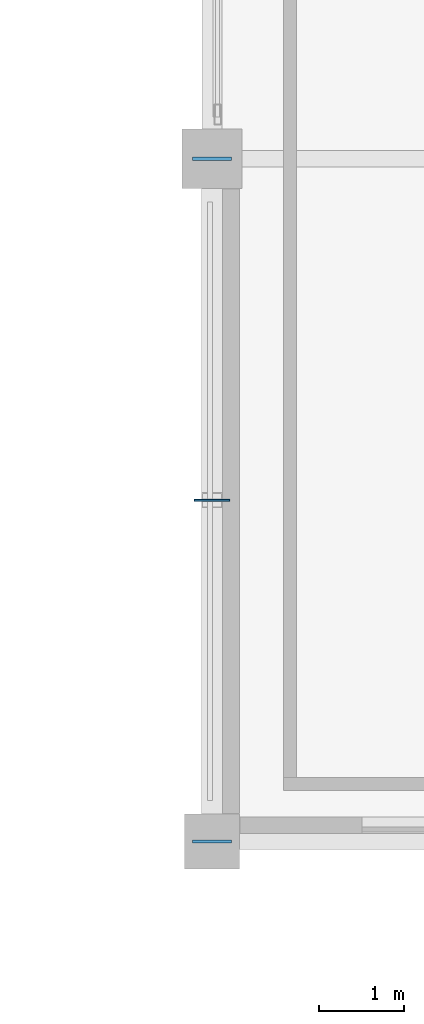
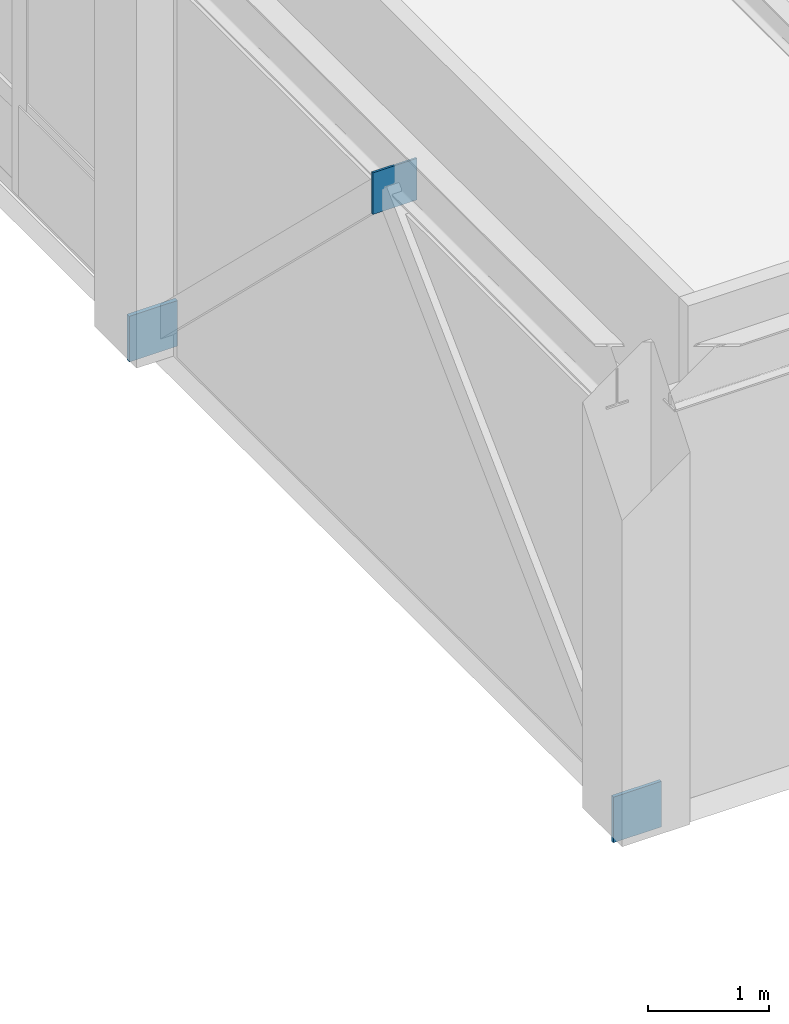
# One storey, part 168 of 200: 3 plates.
"""IFC4 building model written with IfcOpenShell, lengths in metres."""

from ifc_helpers import new_model, si_unit, direction, frame, origin, origin_2d, place, context, subcontext, project, spatial, rectangle, extrude, material, layer, layer_set, type_object, element, save


model = new_model("IFC4")

# Units and contexts
model_context = context("Model", 3, precision=1e-05, world=origin(), true_north=direction((0.0, 1.0)))
body_context = subcontext(model_context, "Body", "Model", "MODEL_VIEW")
ifc_project = project(units=[si_unit("LENGTHUNIT", "METRE"), si_unit("AREAUNIT", "SQUARE_METRE"), si_unit("VOLUMEUNIT", "CUBIC_METRE"), si_unit("PLANEANGLEUNIT", "RADIAN"), si_unit("MASSUNIT", "GRAM", prefix="KILO"), si_unit("THERMODYNAMICTEMPERATUREUNIT", "KELVIN"), si_unit("POWERUNIT", "WATT")], contexts=[model_context])

# Site, building, storey
site_placement = place(None, origin())
site = spatial("IfcSite", under=ifc_project, at=site_placement, CompositionType="ELEMENT")
building_placement = place(site_placement, origin())
building = spatial("IfcBuilding", under=site, at=building_placement, Name="Tepalcoro Natatorium and Aquatics Centre", CompositionType="ELEMENT")
storey_placement = place(building_placement, frame((0.0, 0.0, 5.39990234375)))
storey = spatial("IfcBuildingStorey", under=building, at=storey_placement, Name="L01", CompositionType="ELEMENT", Elevation=5.39990234375)

# Plates
ifc_material = material(Name="Plate Steel ASTM A572 Grade 50 (Fy 345 MPa)", Category="steel")
ifc_layer_1 = layer(ifc_material, 0.031982421875)
ifc_layer_set_1 = layer_set([ifc_layer_1], Name="Plate Steel ASTM A572 Grade 50 (Fy 345 MPa)")
plate_type_1 = type_object("IfcPlateType", Name="PL_CAP_32", PredefinedType="USERDEFINED", material=ifc_layer_set_1)
plate_1_placement = place(storey_placement, frame((10.0, 86.0, -0.179931640625), z_axis=(0.0, 0.0, 1.0), x_axis=(1.0, 0.0, 0.0)))
element("IfcPlate", 1, at=plate_1_placement, inside=storey, type_object=plate_type_1, Name="Truss Node Cap Plate BRB_8", ObjectType="CAP PLATE", PredefinedType="USERDEFINED", context=body_context, shape_type="SweptSolid", body=[
    extrude(rectangle(XDim=0.4599609375, YDim=0.031982421875, at=origin_2d()), origin(), (0.0, 0.0, 1.0), 0.4599609375),
])
ifc_layer_2 = layer(ifc_material, 0.02001953125)
ifc_layer_set_2 = layer_set([ifc_layer_2], Name="Plate Steel ASTM A572 Grade 50 (Fy 345 MPa)")
plate_type_2 = type_object("IfcPlateType", Name="PL_GUSSET_20", PredefinedType="USERDEFINED", material=ifc_layer_set_2)
plate_2_placement = place(storey_placement, frame((10.0, 90.0, 3.72021484375), z_axis=(0.0, 0.0, 1.0), x_axis=(1.0, 0.0, 0.0)))
element("IfcPlate", 2, at=plate_2_placement, inside=storey, type_object=plate_type_2, Name="V4 L01 Chevron Gusset Plate GP1", ObjectType="GUSSET PLATE", PredefinedType="USERDEFINED", context=body_context, shape_type="SweptSolid", body=[
    extrude(rectangle(XDim=0.419921875, YDim=0.02001953125, at=origin_2d()), origin(), (0.0, 0.0, 1.0), 0.419921875),
])
ifc_layer_3 = layer(ifc_material, 0.0400390625)
ifc_layer_set_3 = layer_set([ifc_layer_3], Name="Plate Steel ASTM A572 Grade 50 (Fy 345 MPa)")
plate_type_3 = type_object("IfcPlateType", Name="PL_GUSSET_40", PredefinedType="USERDEFINED", material=ifc_layer_set_3)
plate_3_placement = place(storey_placement, frame((10.0, 94.0, -0.179931640625), z_axis=(0.0, 0.0, 1.0), x_axis=(1.0, 0.0, 0.0)))
element("IfcPlate", 3, at=plate_3_placement, inside=storey, type_object=plate_type_3, Name="Truss Node Gusset Plate BRB_8", ObjectType="GUSSET PLATE", PredefinedType="USERDEFINED", context=body_context, shape_type="SweptSolid", body=[
    extrude(rectangle(XDim=0.4599609375, YDim=0.0400390625, at=origin_2d()), origin(), (0.0, 0.0, 1.0), 0.4599609375),
])

save(model, "model.ifc")
